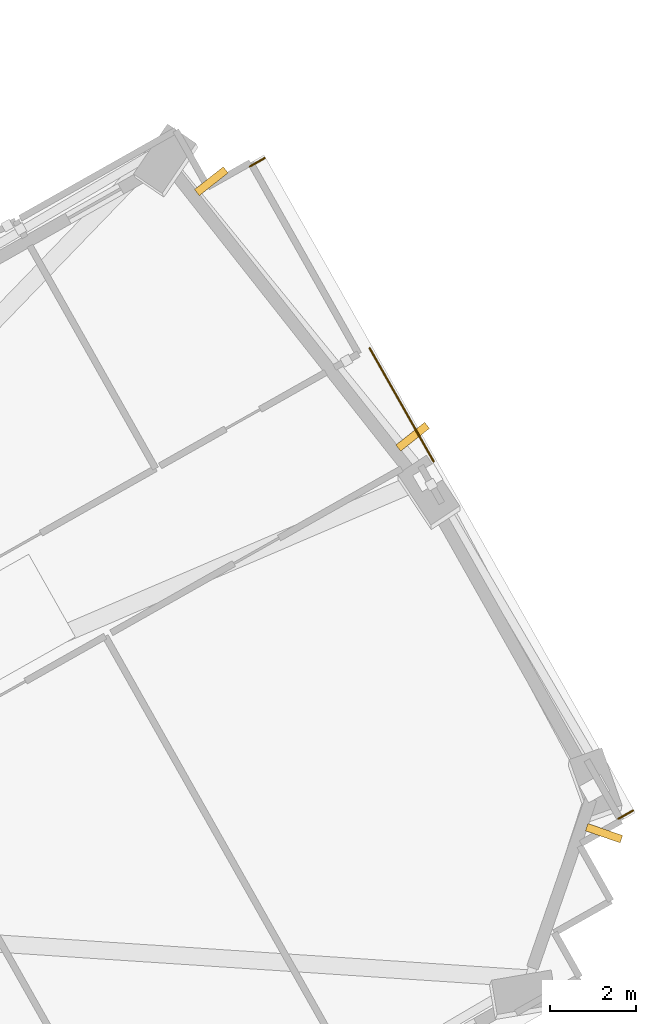
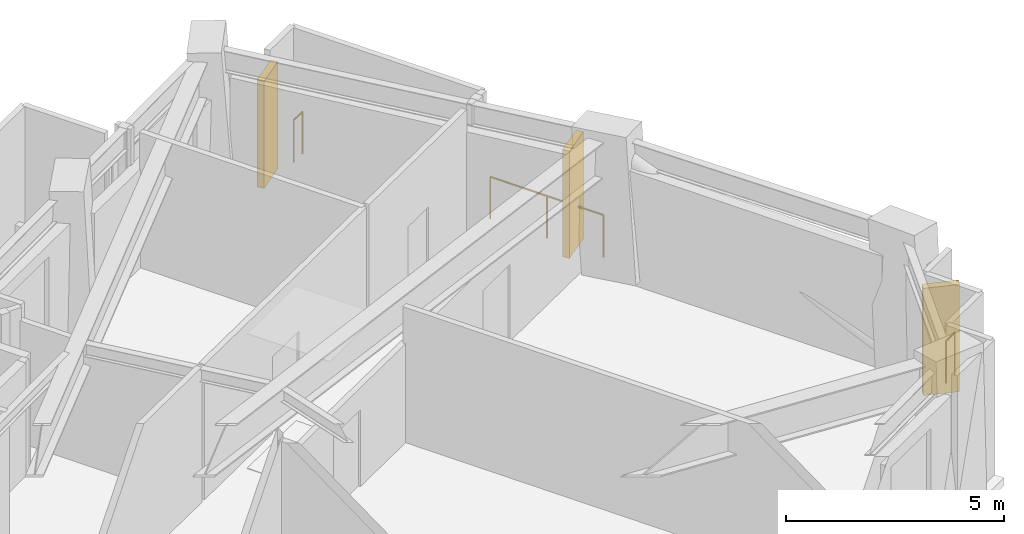
# One storey, part 18 of 18: 3 railings, 3 shading devices.
"""IFC4 building model written with IfcOpenShell, lengths in metres."""

from ifc_helpers import new_model, si_unit, direction, frame, origin, origin_2d, place, context, subcontext, project, spatial, rectangle, circle, extrude, material, layer, layer_set, type_object, element, save


model = new_model("IFC4")

# Units and contexts
model_context = context("Model", 3, precision=1e-05, world=origin(), true_north=direction((0.0, 1.0)))
body_context = subcontext(model_context, "Body", "Model", "MODEL_VIEW")
ifc_project = project(units=[si_unit("LENGTHUNIT", "METRE"), si_unit("AREAUNIT", "SQUARE_METRE"), si_unit("VOLUMEUNIT", "CUBIC_METRE"), si_unit("PLANEANGLEUNIT", "RADIAN"), si_unit("MASSUNIT", "GRAM", prefix="KILO")], contexts=[model_context])

# Site, building, storey
site_placement = place(None, origin())
site = spatial("IfcSite", under=ifc_project, at=site_placement, CompositionType="ELEMENT")
building_placement = place(site_placement, origin())
building = spatial("IfcBuilding", under=site, at=building_placement, Name="Gaonmaruhae Medical Tower", CompositionType="ELEMENT")
storey_placement = place(building_placement, frame((0.0, 0.0, 149.800048828125)))
storey = spatial("IfcBuildingStorey", under=building, at=storey_placement, Name="L35", CompositionType="ELEMENT", Elevation=149.800048828125)

# Railings
ifc_material_1 = material(Name="Stainless steel 316L and laminated safety glass", Category="steel")
ifc_layer = layer(ifc_material_1, 0.080078125)
ifc_layer_set = layer_set([ifc_layer], Name="Stainless steel 316L and laminated safety glass")
railing_type = type_object("IfcRailingType", Name="GD-120 Outdoor Terrace Safety Glass & Steel Balustrade", PredefinedType="BALUSTRADE", material=ifc_layer_set)
railing_1_placement = place(storey_placement, frame((54.607421875, 33.939697265625, 0.0)))
element("IfcRailing", 1, at=railing_1_placement, inside=storey, type_object=railing_type, Name="L35 Perimeter Slab Edge Safety Balustrade 01", PredefinedType="BALUSTRADE", context=body_context, shape_type="SweptSolid", body=[
    extrude(circle(Radius=0.02392578125, at=origin_2d()), frame((0.0, 0.0, 1.17578125), z_axis=(0.870828594753, 0.491586776226, 0.0), x_axis=(-0.491586776226, 0.870828594753, 0.0)), (0.0, 0.0, 1.0), 0.393310546875),
    extrude(circle(Radius=0.02099609375, at=origin_2d()), origin(), (0.0, 0.0, 1.0), 1.15185546875),
    extrude(circle(Radius=0.02099609375, at=origin_2d()), frame((0.342529296875, 0.193359375, 0.0)), (0.0, 0.0, 1.0), 1.15185546875),
])
railing_2_placement = place(storey_placement, frame((57.37890625, 29.7294921875, 0.0)))
element("IfcRailing", 2, at=railing_2_placement, inside=storey, type_object=railing_type, Name="L35 Perimeter Slab Edge Safety Balustrade 02", PredefinedType="BALUSTRADE", context=body_context, shape_type="SweptSolid", body=[
    extrude(circle(Radius=0.02392578125, at=origin_2d()), frame((0.0, 0.0, 1.17578125), z_axis=(0.491670576966, -0.87078128353, 0.0), x_axis=(0.87078128353, 0.491670576966, 0.0)), (0.0, 0.0, 1.0), 3.01708984375),
    extrude(circle(Radius=0.02099609375, at=origin_2d()), origin(), (0.0, 0.0, 1.0), 1.15185546875),
    extrude(circle(Radius=0.02099609375, at=origin_2d()), frame((0.74169921875, -1.3134765625, 0.0)), (0.0, 0.0, 1.0), 1.15185546875),
    extrude(circle(Radius=0.02099609375, at=origin_2d()), frame((1.4833984375, -2.627197265625, 0.0)), (0.0, 0.0, 1.0), 1.15185546875),
])
railing_3_placement = place(storey_placement, frame((63.4853515625, 19.01611328125, 0.0)))
element("IfcRailing", 3, at=railing_3_placement, inside=storey, type_object=railing_type, Name="L35 Perimeter Slab Edge Safety Balustrade 03", PredefinedType="BALUSTRADE", context=body_context, shape_type="SweptSolid", body=[
    extrude(circle(Radius=0.02392578125, at=origin_2d()), frame((0.0, 0.0, 1.17578125), z_axis=(-0.870828594753, -0.491586776226, 0.0), x_axis=(0.491586776226, -0.870828594753, 0.0)), (0.0, 0.0, 1.0), 0.393310546875),
    extrude(circle(Radius=0.02099609375, at=origin_2d()), origin(), (0.0, 0.0, 1.0), 1.15185546875),
    extrude(circle(Radius=0.02099609375, at=origin_2d()), frame((-0.342529296875, -0.193359375, 0.0)), (0.0, 0.0, 1.0), 1.15185546875),
])

# Shading devices
ifc_material_2 = material(Name="Pigmented coral precast concrete C45/55", Category="concrete")
shading_device_type = type_object("IfcShadingDeviceType", Name="SD-FIN1 Tower Vertical Coral Precast Shading Fin", PredefinedType="USERDEFINED", material=ifc_material_2)
for number, where, z_axis, x_axis, name in (
    (4, (62.810546875, 18.48974609375, 0.08251953125), (0.0, 0.0, 1.0), (-0.327250883719, -0.944937489522, 0.0), "L35 Vertical Coral Precast Shading Fin S07"),
    (5, (53.711181640625, 33.59619140625, 0.08251953125), (0.0, 0.0, 1.0), (0.61895687622, -0.785424971197, 0.0), "L35 Vertical Coral Precast Shading Fin E02"),
    (6, (58.376708984375, 27.676025390625, 0.08251953125), (0.0, 0.0, 1.0), (0.61895687622, -0.785424971197, 0.0), "L35 Vertical Coral Precast Shading Fin E02B"),
):
    element("IfcShadingDevice", number, at=place(storey_placement, frame(where, z_axis=z_axis, x_axis=x_axis)), inside=storey, type_object=shading_device_type, Name=name, ObjectType="FIN", PredefinedType="USERDEFINED", context=body_context, shape_type="SweptSolid", body=[
        extrude(rectangle(XDim=0.179931640625, YDim=0.85009765625, at=origin_2d()), origin(), (0.0, 0.0, 1.0), 3.0),
    ])

save(model, "model.ifc")
